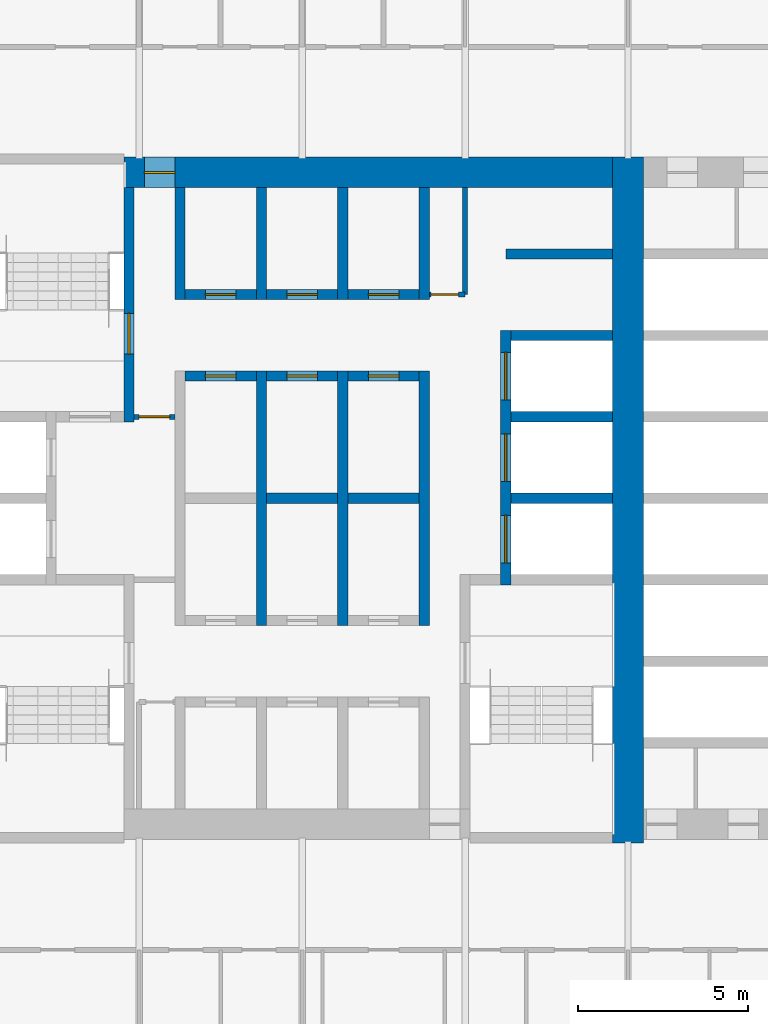
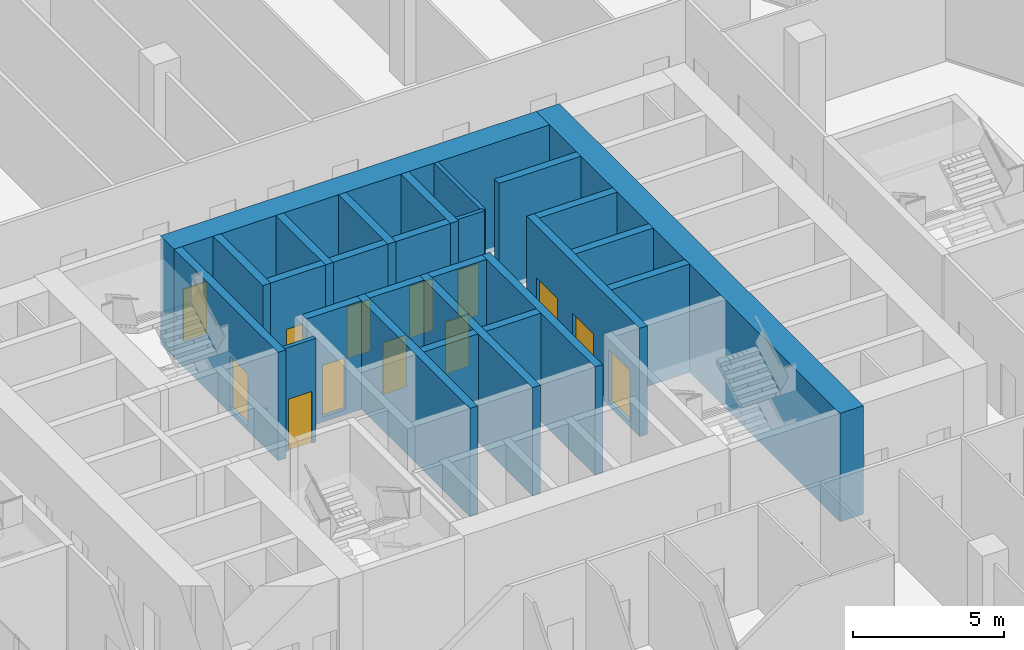
# One storey, part 18 of 27: 26 walls, 13 doors, 13 openings.
"""IFC4 building model written with IfcOpenShell, lengths in metres."""

from ifc_helpers import new_model, si_unit, direction, frame, frame_2d, origin, place, context, subcontext, project, spatial, rectangle, extrude, material, layer, layer_set, type_object, element, fill, save


model = new_model("IFC4")

# Units and contexts
model_context = context("Model", 3, precision=1e-05, world=origin(), true_north=direction((0.0, 1.0)))
body_context = subcontext(model_context, "Body", "Model", "MODEL_VIEW")
ifc_project = project(units=[si_unit("LENGTHUNIT", "METRE"), si_unit("AREAUNIT", "SQUARE_METRE"), si_unit("VOLUMEUNIT", "CUBIC_METRE"), si_unit("PLANEANGLEUNIT", "RADIAN"), si_unit("MASSUNIT", "GRAM", prefix="KILO")], contexts=[model_context])

# Site, building, storey
site_placement = place(None, origin())
site = spatial("IfcSite", under=ifc_project, at=site_placement, CompositionType="ELEMENT")
building_placement = place(site_placement, origin())
building = spatial("IfcBuilding", under=site, at=building_placement, Name="Kolab Exchange Tower", CompositionType="ELEMENT")
storey_placement = place(building_placement, frame((0.0, 0.0, 122.89990234375)))
storey = spatial("IfcBuildingStorey", under=building, at=storey_placement, Name="L24", CompositionType="ELEMENT", Elevation=122.89990234375)

# Wall, opening, door
ifc_material_1 = material(Name="Concrete C70/85", Category="concrete")
ifc_layer_1 = layer(ifc_material_1, 0.89990234375)
ifc_layer_set_1 = layer_set([ifc_layer_1], Name="Concrete C70/85")
wall_type_1 = type_object("IfcWallType", Name="CORE WALL 900 C70/85", PredefinedType="SHEAR", material=ifc_layer_set_1)
wall_1_placement = place(storey_placement, frame((-5.25, 9.60009765625, -0.199951171875), z_axis=(0.0, 0.0, 1.0), x_axis=(1.0, 0.0, 0.0)))
wall_1 = element("IfcWall", 1, at=wall_1_placement, inside=storey, type_object=wall_type_1, Name="wall/L24/core/052", PredefinedType="SHEAR", context=body_context, shape_type="SweptSolid", body=[
    extrude(rectangle(XDim=14.39990234375, YDim=0.89990234375, at=frame_2d((7.199951171875, 0.0))), origin(), (0.0, 0.0, 1.0), 4.400146484375),
])
opening_1_placement = place(wall_1_placement, frame((0.60009765625, 0.0, 0.199951171875)))
opening_1 = element("IfcOpeningElement", 2, at=opening_1_placement, cuts=wall_1, Name="Opening D6-248", PredefinedType="OPENING", context=body_context, shape_type="SweptSolid", body=[
    extrude(rectangle(XDim=0.89990234375, YDim=2.10009765625, at=frame_2d((0.449951171875, 1.050048828125))), frame((0.0, 0.4599609375, 0.0), z_axis=(0.0, -1.0, 0.0), x_axis=(1.0, 0.0, 0.0)), (0.0, 0.0, 1.0), 0.919921875),
])
ifc_material_2 = material(Name="Steel S235", Category="steel")
door_type_1 = type_object("IfcDoorType", Name="CORE DOOR 900 EI 120", OperationType="SINGLE_SWING_LEFT", PredefinedType="DOOR", material=ifc_material_2)
door_1_placement = place(opening_1_placement, frame((0.89990234375, 0.0, 0.0), z_axis=(0.0, 0.0, 1.0), x_axis=(-1.0, 0.0, 0.0)))
door_1 = element("IfcDoor", 3, at=door_1_placement, inside=storey, type_object=door_type_1, Name="Core lobby door", OperationType="SINGLE_SWING_RIGHT", OverallHeight=2.10009765625, OverallWidth=0.89990234375, PredefinedType="DOOR", context=body_context, shape_type="SweptSolid", body=[
    extrude(rectangle(XDim=0.89990234375, YDim=2.10009765625, at=frame_2d((0.449951171875, 1.050048828125))), frame((0.0, 0.02490234375, 0.0), z_axis=(0.0, -1.0, 0.0), x_axis=(1.0, 0.0, 0.0)), (0.0, 0.0, 1.0), 0.050048828125),
])
fill(opening_1, door_1)

# Walls
wall_2_placement = place(storey_placement, frame((9.60009765625, -10.14990234375, -0.199951171875), z_axis=(0.0, 0.0, 1.0), x_axis=(0.0, 1.0, 0.0)))
element("IfcWall", 4, at=wall_2_placement, inside=storey, type_object=wall_type_1, Name="wall/L24/core/080", PredefinedType="SHEAR", context=body_context, shape_type="SweptSolid", body=[
    extrude(rectangle(XDim=20.199951171875, YDim=0.89990234375, at=frame_2d((10.10009765625, 0.0))), origin(), (0.0, 0.0, 1.0), 4.400146484375),
])
ifc_material_3 = material(Name="Concrete C50/60", Category="concrete")
ifc_layer_2 = layer(ifc_material_3, 0.300048828125)
ifc_layer_set_2 = layer_set([ifc_layer_2], Name="Concrete C50/60")
wall_type_2 = type_object("IfcWallType", Name="LIFT SHAFT WALL 300 C50/60", PredefinedType="STANDARD", material=ifc_layer_set_2)
wall_3_placement = place(storey_placement, frame((-1.050048828125, 0.0, -0.199951171875), z_axis=(0.0, 0.0, 1.0), x_axis=(1.0, 0.0, 0.0)))
element("IfcWall", 5, at=wall_3_placement, inside=storey, type_object=wall_type_2, Name="wall/L24/core/027", PredefinedType="STANDARD", context=body_context, shape_type="SweptSolid", body=[
    extrude(rectangle(XDim=2.10009765625, YDim=0.300048828125, at=frame_2d((1.050048828125, 0.0))), origin(), (0.0, 0.0, 1.0), 4.400146484375),
])
wall_4_placement = place(storey_placement, frame((1.35009765625, 0.0, -0.199951171875), z_axis=(0.0, 0.0, 1.0), x_axis=(1.0, 0.0, 0.0)))
element("IfcWall", 6, at=wall_4_placement, inside=storey, type_object=wall_type_2, Name="wall/L24/core/028", PredefinedType="STANDARD", context=body_context, shape_type="SweptSolid", body=[
    extrude(rectangle(XDim=2.099853515625, YDim=0.300048828125, at=frame_2d((1.0498046875, 0.0))), origin(), (0.0, 0.0, 1.0), 4.400146484375),
])
for number, where, z_axis, x_axis, name in (
    (7, (6.14990234375, 0.0, -0.199951171875), (0.0, 0.0, 1.0), (1.0, 0.0, 0.0), "wall/L24/core/029"),
    (8, (6.14990234375, 2.39990234375, -0.199951171875), (0.0, 0.0, 1.0), (1.0, 0.0, 0.0), "wall/L24/core/035"),
):
    element("IfcWall", number, at=place(storey_placement, frame(where, z_axis=z_axis, x_axis=x_axis)), inside=storey, type_object=wall_type_2, Name=name, PredefinedType="STANDARD", context=body_context, shape_type="SweptSolid", body=[
        extrude(rectangle(XDim=3.0, YDim=0.300048828125, at=frame_2d((1.5, 0.0))), origin(), (0.0, 0.0, 1.0), 4.400146484375),
    ])

# Wall, opening, door
wall_5_placement = place(storey_placement, frame((-3.449951171875, 3.60009765625, -0.199951171875), z_axis=(0.0, 0.0, 1.0), x_axis=(1.0, 0.0, 0.0)))
wall_5 = element("IfcWall", 9, at=wall_5_placement, inside=storey, type_object=wall_type_2, Name="wall/L24/core/037", PredefinedType="STANDARD", context=body_context, shape_type="SweptSolid", body=[
    extrude(rectangle(XDim=2.099853515625, YDim=0.300048828125, at=frame_2d((1.0498046875, 0.0))), origin(), (0.0, 0.0, 1.0), 4.400146484375),
])
opening_2_placement = place(wall_5_placement, frame((0.60009765625, 0.0, 0.199951171875)))
opening_2 = element("IfcOpeningElement", 10, at=opening_2_placement, cuts=wall_5, Name="Opening D6-241", PredefinedType="OPENING", context=body_context, shape_type="SweptSolid", body=[
    extrude(rectangle(XDim=0.89990234375, YDim=2.10009765625, at=frame_2d((0.449951171875, 1.050048828125))), frame((0.0, 0.16015625, 0.0), z_axis=(0.0, -1.0, 0.0), x_axis=(1.0, 0.0, 0.0)), (0.0, 0.0, 1.0), 0.320068359375),
])
door_2_placement = place(opening_2_placement, frame((0.89990234375, 0.0, 0.0), z_axis=(0.0, 0.0, 1.0), x_axis=(-1.0, 0.0, 0.0)))
door_2 = element("IfcDoor", 11, at=door_2_placement, inside=storey, type_object=door_type_1, Name="Service room door", OperationType="SINGLE_SWING_LEFT", OverallHeight=2.10009765625, OverallWidth=0.89990234375, PredefinedType="DOOR", context=body_context, shape_type="SweptSolid", body=[
    extrude(rectangle(XDim=0.89990234375, YDim=2.10009765625, at=frame_2d((0.449951171875, 1.050048828125))), frame((0.0, 0.02490234375, 0.0), z_axis=(0.0, -1.0, 0.0), x_axis=(1.0, 0.0, 0.0)), (0.0, 0.0, 1.0), 0.050048828125),
])
fill(opening_2, door_2)

wall_6_placement = place(storey_placement, frame((-1.050048828125, 3.60009765625, -0.199951171875), z_axis=(0.0, 0.0, 1.0), x_axis=(1.0, 0.0, 0.0)))
wall_6 = element("IfcWall", 12, at=wall_6_placement, inside=storey, type_object=wall_type_2, Name="wall/L24/core/038", PredefinedType="STANDARD", context=body_context, shape_type="SweptSolid", body=[
    extrude(rectangle(XDim=2.10009765625, YDim=0.300048828125, at=frame_2d((1.050048828125, 0.0))), origin(), (0.0, 0.0, 1.0), 4.400146484375),
])
opening_3_placement = place(wall_6_placement, frame((0.60009765625, 0.0, 0.199951171875)))
opening_3 = element("IfcOpeningElement", 13, at=opening_3_placement, cuts=wall_6, Name="Opening D6-240", PredefinedType="OPENING", context=body_context, shape_type="SweptSolid", body=[
    extrude(rectangle(XDim=0.89990234375, YDim=2.10009765625, at=frame_2d((0.449951171875, 1.050048828125))), frame((0.0, 0.16015625, 0.0), z_axis=(0.0, -1.0, 0.0), x_axis=(1.0, 0.0, 0.0)), (0.0, 0.0, 1.0), 0.320068359375),
])
door_3_placement = place(opening_3_placement, frame((0.89990234375, 0.0, 0.0), z_axis=(0.0, 0.0, 1.0), x_axis=(-1.0, 0.0, 0.0)))
door_3 = element("IfcDoor", 14, at=door_3_placement, inside=storey, type_object=door_type_1, Name="Service room door", OperationType="SINGLE_SWING_LEFT", OverallHeight=2.10009765625, OverallWidth=0.89990234375, PredefinedType="DOOR", context=body_context, shape_type="SweptSolid", body=[
    extrude(rectangle(XDim=0.89990234375, YDim=2.10009765625, at=frame_2d((0.449951171875, 1.050048828125))), frame((0.0, 0.02490234375, 0.0), z_axis=(0.0, -1.0, 0.0), x_axis=(1.0, 0.0, 0.0)), (0.0, 0.0, 1.0), 0.050048828125),
])
fill(opening_3, door_3)

wall_7_placement = place(storey_placement, frame((1.35009765625, 3.60009765625, -0.199951171875), z_axis=(0.0, 0.0, 1.0), x_axis=(1.0, 0.0, 0.0)))
wall_7 = element("IfcWall", 15, at=wall_7_placement, inside=storey, type_object=wall_type_2, Name="wall/L24/core/039", PredefinedType="STANDARD", context=body_context, shape_type="SweptSolid", body=[
    extrude(rectangle(XDim=2.099853515625, YDim=0.300048828125, at=frame_2d((1.0498046875, 0.0))), origin(), (0.0, 0.0, 1.0), 4.400146484375),
])
opening_4_placement = place(wall_7_placement, frame((0.60009765625, 0.0, 0.199951171875)))
opening_4 = element("IfcOpeningElement", 16, at=opening_4_placement, cuts=wall_7, Name="Opening D6-239", PredefinedType="OPENING", context=body_context, shape_type="SweptSolid", body=[
    extrude(rectangle(XDim=0.89990234375, YDim=2.10009765625, at=frame_2d((0.449951171875, 1.050048828125))), frame((0.0, 0.16015625, 0.0), z_axis=(0.0, -1.0, 0.0), x_axis=(1.0, 0.0, 0.0)), (0.0, 0.0, 1.0), 0.320068359375),
])
door_4_placement = place(opening_4_placement, frame((0.89990234375, 0.0, 0.0), z_axis=(0.0, 0.0, 1.0), x_axis=(-1.0, 0.0, 0.0)))
door_4 = element("IfcDoor", 17, at=door_4_placement, inside=storey, type_object=door_type_1, Name="Service room door", OperationType="SINGLE_SWING_RIGHT", OverallHeight=2.10009765625, OverallWidth=0.89990234375, PredefinedType="DOOR", context=body_context, shape_type="SweptSolid", body=[
    extrude(rectangle(XDim=0.89990234375, YDim=2.10009765625, at=frame_2d((0.449951171875, 1.050048828125))), frame((0.0, 0.02490234375, 0.0), z_axis=(0.0, -1.0, 0.0), x_axis=(1.0, 0.0, 0.0)), (0.0, 0.0, 1.0), 0.050048828125),
])
fill(opening_4, door_4)

# Wall
wall_8_placement = place(storey_placement, frame((6.14990234375, 4.800048828125, -0.199951171875), z_axis=(0.0, 0.0, 1.0), x_axis=(1.0, 0.0, 0.0)))
element("IfcWall", 18, at=wall_8_placement, inside=storey, type_object=wall_type_2, Name="wall/L24/core/043", PredefinedType="STANDARD", context=body_context, shape_type="SweptSolid", body=[
    extrude(rectangle(XDim=3.0, YDim=0.300048828125, at=frame_2d((1.5, 0.0))), origin(), (0.0, 0.0, 1.0), 4.400146484375),
])

# Wall, opening, door
wall_9_placement = place(storey_placement, frame((-3.449951171875, 6.0, -0.199951171875), z_axis=(0.0, 0.0, 1.0), x_axis=(1.0, 0.0, 0.0)))
wall_9 = element("IfcWall", 19, at=wall_9_placement, inside=storey, type_object=wall_type_2, Name="wall/L24/core/045", PredefinedType="STANDARD", context=body_context, shape_type="SweptSolid", body=[
    extrude(rectangle(XDim=2.099853515625, YDim=0.300048828125, at=frame_2d((1.0498046875, 0.0))), origin(), (0.0, 0.0, 1.0), 4.400146484375),
])
opening_5_placement = place(wall_9_placement, frame((0.60009765625, 0.0, 0.199951171875)))
opening_5 = element("IfcOpeningElement", 20, at=opening_5_placement, cuts=wall_9, Name="Opening D6-238", PredefinedType="OPENING", context=body_context, shape_type="SweptSolid", body=[
    extrude(rectangle(XDim=0.89990234375, YDim=2.10009765625, at=frame_2d((0.449951171875, 1.050048828125))), frame((0.0, 0.16015625, 0.0), z_axis=(0.0, -1.0, 0.0), x_axis=(1.0, 0.0, 0.0)), (0.0, 0.0, 1.0), 0.320068359375),
])
door_5_placement = place(opening_5_placement, origin())
door_5 = element("IfcDoor", 21, at=door_5_placement, inside=storey, type_object=door_type_1, Name="Service room door", OperationType="SINGLE_SWING_LEFT", OverallHeight=2.10009765625, OverallWidth=0.89990234375, PredefinedType="DOOR", context=body_context, shape_type="SweptSolid", body=[
    extrude(rectangle(XDim=0.89990234375, YDim=2.10009765625, at=frame_2d((0.449951171875, 1.050048828125))), frame((0.0, 0.02490234375, 0.0), z_axis=(0.0, -1.0, 0.0), x_axis=(1.0, 0.0, 0.0)), (0.0, 0.0, 1.0), 0.050048828125),
])
fill(opening_5, door_5)

wall_10_placement = place(storey_placement, frame((-1.050048828125, 6.0, -0.199951171875), z_axis=(0.0, 0.0, 1.0), x_axis=(1.0, 0.0, 0.0)))
wall_10 = element("IfcWall", 22, at=wall_10_placement, inside=storey, type_object=wall_type_2, Name="wall/L24/core/046", PredefinedType="STANDARD", context=body_context, shape_type="SweptSolid", body=[
    extrude(rectangle(XDim=2.10009765625, YDim=0.300048828125, at=frame_2d((1.050048828125, 0.0))), origin(), (0.0, 0.0, 1.0), 4.400146484375),
])
opening_6_placement = place(wall_10_placement, frame((0.60009765625, 0.0, 0.199951171875)))
opening_6 = element("IfcOpeningElement", 23, at=opening_6_placement, cuts=wall_10, Name="Opening D6-237", PredefinedType="OPENING", context=body_context, shape_type="SweptSolid", body=[
    extrude(rectangle(XDim=0.89990234375, YDim=2.10009765625, at=frame_2d((0.449951171875, 1.050048828125))), frame((0.0, 0.16015625, 0.0), z_axis=(0.0, -1.0, 0.0), x_axis=(1.0, 0.0, 0.0)), (0.0, 0.0, 1.0), 0.320068359375),
])
door_6_placement = place(opening_6_placement, origin())
door_6 = element("IfcDoor", 24, at=door_6_placement, inside=storey, type_object=door_type_1, Name="Service room door", OperationType="SINGLE_SWING_RIGHT", OverallHeight=2.10009765625, OverallWidth=0.89990234375, PredefinedType="DOOR", context=body_context, shape_type="SweptSolid", body=[
    extrude(rectangle(XDim=0.89990234375, YDim=2.10009765625, at=frame_2d((0.449951171875, 1.050048828125))), frame((0.0, 0.02490234375, 0.0), z_axis=(0.0, -1.0, 0.0), x_axis=(1.0, 0.0, 0.0)), (0.0, 0.0, 1.0), 0.050048828125),
])
fill(opening_6, door_6)

wall_11_placement = place(storey_placement, frame((1.35009765625, 6.0, -0.199951171875), z_axis=(0.0, 0.0, 1.0), x_axis=(1.0, 0.0, 0.0)))
wall_11 = element("IfcWall", 25, at=wall_11_placement, inside=storey, type_object=wall_type_2, Name="wall/L24/core/047", PredefinedType="STANDARD", context=body_context, shape_type="SweptSolid", body=[
    extrude(rectangle(XDim=2.099853515625, YDim=0.300048828125, at=frame_2d((1.0498046875, 0.0))), origin(), (0.0, 0.0, 1.0), 4.400146484375),
])
opening_7_placement = place(wall_11_placement, frame((0.60009765625, 0.0, 0.199951171875)))
opening_7 = element("IfcOpeningElement", 26, at=opening_7_placement, cuts=wall_11, Name="Opening D6-236", PredefinedType="OPENING", context=body_context, shape_type="SweptSolid", body=[
    extrude(rectangle(XDim=0.89990234375, YDim=2.10009765625, at=frame_2d((0.449951171875, 1.050048828125))), frame((0.0, 0.16015625, 0.0), z_axis=(0.0, -1.0, 0.0), x_axis=(1.0, 0.0, 0.0)), (0.0, 0.0, 1.0), 0.320068359375),
])
door_7_placement = place(opening_7_placement, origin())
door_7 = element("IfcDoor", 27, at=door_7_placement, inside=storey, type_object=door_type_1, Name="Service room door", OperationType="SINGLE_SWING_RIGHT", OverallHeight=2.10009765625, OverallWidth=0.89990234375, PredefinedType="DOOR", context=body_context, shape_type="SweptSolid", body=[
    extrude(rectangle(XDim=0.89990234375, YDim=2.10009765625, at=frame_2d((0.449951171875, 1.050048828125))), frame((0.0, 0.02490234375, 0.0), z_axis=(0.0, -1.0, 0.0), x_axis=(1.0, 0.0, 0.0)), (0.0, 0.0, 1.0), 0.050048828125),
])
fill(opening_7, door_7)

# Walls
wall_12_placement = place(storey_placement, frame((6.0, 7.199951171875, -0.199951171875), z_axis=(0.0, 0.0, 1.0), x_axis=(1.0, 0.0, 0.0)))
element("IfcWall", 28, at=wall_12_placement, inside=storey, type_object=wall_type_2, Name="wall/L24/core/049", PredefinedType="STANDARD", context=body_context, shape_type="SweptSolid", body=[
    extrude(rectangle(XDim=3.14990234375, YDim=0.300048828125, at=frame_2d((1.574951171875, 0.0))), origin(), (0.0, 0.0, 1.0), 4.400146484375),
])
wall_13_placement = place(storey_placement, frame((-3.60009765625, 5.85009765625, -0.199951171875), z_axis=(0.0, 0.0, 1.0), x_axis=(0.0, 1.0, 0.0)))
element("IfcWall", 29, at=wall_13_placement, inside=storey, type_object=wall_type_2, Name="wall/L24/core/068", PredefinedType="STANDARD", context=body_context, shape_type="SweptSolid", body=[
    extrude(rectangle(XDim=3.2998046875, YDim=0.300048828125, at=frame_2d((1.64990234375, 0.0))), origin(), (0.0, 0.0, 1.0), 4.400146484375),
])
wall_14_placement = place(storey_placement, frame((-1.199951171875, -3.75, -0.199951171875), z_axis=(0.0, 0.0, 1.0), x_axis=(0.0, 1.0, 0.0)))
element("IfcWall", 30, at=wall_14_placement, inside=storey, type_object=wall_type_2, Name="wall/L24/core/070", PredefinedType="STANDARD", context=body_context, shape_type="SweptSolid", body=[
    extrude(rectangle(XDim=7.5, YDim=0.300048828125, at=frame_2d((3.75, 0.0))), origin(), (0.0, 0.0, 1.0), 4.400146484375),
])
wall_15_placement = place(storey_placement, frame((-1.199951171875, 5.85009765625, -0.199951171875), z_axis=(0.0, 0.0, 1.0), x_axis=(0.0, 1.0, 0.0)))
element("IfcWall", 31, at=wall_15_placement, inside=storey, type_object=wall_type_2, Name="wall/L24/core/071", PredefinedType="STANDARD", context=body_context, shape_type="SweptSolid", body=[
    extrude(rectangle(XDim=3.2998046875, YDim=0.300048828125, at=frame_2d((1.64990234375, 0.0))), origin(), (0.0, 0.0, 1.0), 4.400146484375),
])
wall_16_placement = place(storey_placement, frame((1.199951171875, -3.75, -0.199951171875), z_axis=(0.0, 0.0, 1.0), x_axis=(0.0, 1.0, 0.0)))
element("IfcWall", 32, at=wall_16_placement, inside=storey, type_object=wall_type_2, Name="wall/L24/core/073", PredefinedType="STANDARD", context=body_context, shape_type="SweptSolid", body=[
    extrude(rectangle(XDim=7.5, YDim=0.300048828125, at=frame_2d((3.75, 0.0))), origin(), (0.0, 0.0, 1.0), 4.400146484375),
])
wall_17_placement = place(storey_placement, frame((1.199951171875, 5.85009765625, -0.199951171875), z_axis=(0.0, 0.0, 1.0), x_axis=(0.0, 1.0, 0.0)))
element("IfcWall", 33, at=wall_17_placement, inside=storey, type_object=wall_type_2, Name="wall/L24/core/074", PredefinedType="STANDARD", context=body_context, shape_type="SweptSolid", body=[
    extrude(rectangle(XDim=3.2998046875, YDim=0.300048828125, at=frame_2d((1.64990234375, 0.0))), origin(), (0.0, 0.0, 1.0), 4.400146484375),
])
wall_18_placement = place(storey_placement, frame((3.60009765625, -3.75, -0.199951171875), z_axis=(0.0, 0.0, 1.0), x_axis=(0.0, 1.0, 0.0)))
element("IfcWall", 34, at=wall_18_placement, inside=storey, type_object=wall_type_2, Name="wall/L24/core/076", PredefinedType="STANDARD", context=body_context, shape_type="SweptSolid", body=[
    extrude(rectangle(XDim=7.5, YDim=0.300048828125, at=frame_2d((3.75, 0.0))), origin(), (0.0, 0.0, 1.0), 4.400146484375),
])
wall_19_placement = place(storey_placement, frame((3.60009765625, 5.85009765625, -0.199951171875), z_axis=(0.0, 0.0, 1.0), x_axis=(0.0, 1.0, 0.0)))
element("IfcWall", 35, at=wall_19_placement, inside=storey, type_object=wall_type_2, Name="wall/L24/core/077", PredefinedType="STANDARD", context=body_context, shape_type="SweptSolid", body=[
    extrude(rectangle(XDim=3.2998046875, YDim=0.300048828125, at=frame_2d((1.64990234375, 0.0))), origin(), (0.0, 0.0, 1.0), 4.400146484375),
])

# Wall, openings, doors
wall_20_placement = place(storey_placement, frame((6.0, -2.550048828125, -0.199951171875), z_axis=(0.0, 0.0, 1.0), x_axis=(0.0, 1.0, 0.0)))
wall_20 = element("IfcWall", 36, at=wall_20_placement, inside=storey, type_object=wall_type_2, Name="wall/L24/core/079", PredefinedType="STANDARD", context=body_context, shape_type="SweptSolid", body=[
    extrude(rectangle(XDim=7.5, YDim=0.300048828125, at=frame_2d((3.75, 0.0))), origin(), (0.0, 0.0, 1.0), 4.400146484375),
])
opening_8_placement = place(wall_20_placement, frame((0.64990234375, 0.0, 0.199951171875)))
opening_8 = element("IfcOpeningElement", 37, at=opening_8_placement, cuts=wall_20, Name="Opening LD3-028", PredefinedType="OPENING", context=body_context, shape_type="SweptSolid", body=[
    extrude(rectangle(XDim=1.39990234375, YDim=2.10009765625, at=frame_2d((0.699951171875, 1.050048828125))), frame((0.0, 0.16015625, 0.0), z_axis=(0.0, -1.0, 0.0), x_axis=(1.0, 0.0, 0.0)), (0.0, 0.0, 1.0), 0.320068359375),
])
opening_9_placement = place(wall_20_placement, frame((3.050048828125, 0.0, 0.199951171875)))
opening_9 = element("IfcOpeningElement", 38, at=opening_9_placement, cuts=wall_20, Name="Opening LD3-029", PredefinedType="OPENING", context=body_context, shape_type="SweptSolid", body=[
    extrude(rectangle(XDim=1.39990234375, YDim=2.10009765625, at=frame_2d((0.699951171875, 1.050048828125))), frame((0.0, 0.16015625, 0.0), z_axis=(0.0, -1.0, 0.0), x_axis=(1.0, 0.0, 0.0)), (0.0, 0.0, 1.0), 0.320068359375),
])
opening_10_placement = place(wall_20_placement, frame((5.449951171875, 0.0, 0.199951171875)))
opening_10 = element("IfcOpeningElement", 39, at=opening_10_placement, cuts=wall_20, Name="Opening LD3-030", PredefinedType="OPENING", context=body_context, shape_type="SweptSolid", body=[
    extrude(rectangle(XDim=1.39990234375, YDim=2.10009765625, at=frame_2d((0.699951171875, 1.050048828125))), frame((0.0, 0.16015625, 0.0), z_axis=(0.0, -1.0, 0.0), x_axis=(1.0, 0.0, 0.0)), (0.0, 0.0, 1.0), 0.320068359375),
])
ifc_material_4 = material(Name="Stainless steel 316", Category="steel")
door_type_2 = type_object("IfcDoorType", Name="LANDING DOOR 1400 SERVICE", OperationType="DOUBLE_DOOR_SLIDING", PredefinedType="DOOR", material=ifc_material_4)
door_8_placement = place(opening_8_placement, origin())
door_8 = element("IfcDoor", 40, at=door_8_placement, inside=storey, type_object=door_type_2, Name="Landing door SV1", OperationType="DOUBLE_DOOR_SLIDING", OverallHeight=2.10009765625, OverallWidth=1.39990234375, PredefinedType="DOOR", context=body_context, shape_type="SweptSolid", body=[
    extrude(rectangle(XDim=1.39990234375, YDim=2.10009765625, at=frame_2d((0.699951171875, 1.050048828125))), frame((0.0, 0.02490234375, 0.0), z_axis=(0.0, -1.0, 0.0), x_axis=(1.0, 0.0, 0.0)), (0.0, 0.0, 1.0), 0.050048828125),
])
fill(opening_8, door_8)
door_9_placement = place(opening_9_placement, origin())
door_9 = element("IfcDoor", 41, at=door_9_placement, inside=storey, type_object=door_type_2, Name="Landing door SV2", OperationType="DOUBLE_DOOR_SLIDING", OverallHeight=2.10009765625, OverallWidth=1.39990234375, PredefinedType="DOOR", context=body_context, shape_type="SweptSolid", body=[
    extrude(rectangle(XDim=1.39990234375, YDim=2.10009765625, at=frame_2d((0.699951171875, 1.050048828125))), frame((0.0, 0.02490234375, 0.0), z_axis=(0.0, -1.0, 0.0), x_axis=(1.0, 0.0, 0.0)), (0.0, 0.0, 1.0), 0.050048828125),
])
fill(opening_9, door_9)
door_10_placement = place(opening_10_placement, origin())
door_10 = element("IfcDoor", 42, at=door_10_placement, inside=storey, type_object=door_type_2, Name="Landing door SV3", OperationType="DOUBLE_DOOR_SLIDING", OverallHeight=2.10009765625, OverallWidth=1.39990234375, PredefinedType="DOOR", context=body_context, shape_type="SweptSolid", body=[
    extrude(rectangle(XDim=1.39990234375, YDim=2.10009765625, at=frame_2d((0.699951171875, 1.050048828125))), frame((0.0, 0.02490234375, 0.0), z_axis=(0.0, -1.0, 0.0), x_axis=(1.0, 0.0, 0.0)), (0.0, 0.0, 1.0), 0.050048828125),
])
fill(opening_10, door_10)

# Wall
ifc_material_5 = material(Name="Gypsum board", Category="gypsum")
ifc_layer_3 = layer(ifc_material_5, 0.14990234375)
ifc_layer_set_3 = layer_set([ifc_layer_3], Name="Gypsum board")
wall_type_3 = type_object("IfcWallType", Name="PARTITION 150 FIRE-RATED", PredefinedType="PARTITIONING", material=ifc_layer_set_3)
wall_21_placement = place(storey_placement, frame((4.800048828125, 6.0, 0.0), z_axis=(0.0, 0.0, 1.0), x_axis=(0.0, 1.0, 0.0)))
element("IfcWall", 43, at=wall_21_placement, inside=storey, type_object=wall_type_3, Name="Partition 015", PredefinedType="PARTITIONING", context=body_context, shape_type="SweptSolid", body=[
    extrude(rectangle(XDim=3.14990234375, YDim=0.14990234375, at=frame_2d((1.574951171875, 0.0))), origin(), (0.0, 0.0, 1.0), 4.2001953125),
])

# Wall, opening, door
wall_22_placement = place(storey_placement, frame((3.75, 6.0, 0.0), z_axis=(0.0, 0.0, 1.0), x_axis=(1.0, 0.0, 0.0)))
wall_22 = element("IfcWall", 44, at=wall_22_placement, inside=storey, type_object=wall_type_3, Name="Partition 048", PredefinedType="PARTITIONING", context=body_context, shape_type="SweptSolid", body=[
    extrude(rectangle(XDim=1.050048828125, YDim=0.14990234375, at=frame_2d((0.52490234375, 0.0))), origin(), (0.0, 0.0, 1.0), 4.2001953125),
])
opening_11_placement = place(wall_22_placement, frame((0.050048828125, 0.0, 0.0)))
opening_11 = element("IfcOpeningElement", 45, at=opening_11_placement, cuts=wall_22, Name="Opening D7-024", PredefinedType="OPENING", context=body_context, shape_type="SweptSolid", body=[
    extrude(rectangle(XDim=0.800048828125, YDim=2.10009765625, at=frame_2d((0.39990234375, 1.050048828125))), frame((0.0, 0.0849609375, 0.0), z_axis=(0.0, -1.0, 0.0), x_axis=(1.0, 0.0, 0.0)), (0.0, 0.0, 1.0), 0.169921875),
])
door_type_3 = type_object("IfcDoorType", Name="FLUSH DOOR 800 FD60", OperationType="SINGLE_SWING_LEFT", PredefinedType="DOOR", material=ifc_material_2)
door_11_placement = place(opening_11_placement, origin())
door_11 = element("IfcDoor", 46, at=door_11_placement, inside=storey, type_object=door_type_3, Name="Door L24-043", OperationType="SINGLE_SWING_RIGHT", OverallHeight=2.10009765625, OverallWidth=0.800048828125, PredefinedType="DOOR", context=body_context, shape_type="SweptSolid", body=[
    extrude(rectangle(XDim=0.800048828125, YDim=2.10009765625, at=frame_2d((0.39990234375, 1.050048828125))), frame((0.0, 0.02490234375, 0.0), z_axis=(0.0, -1.0, 0.0), x_axis=(1.0, 0.0, 0.0)), (0.0, 0.0, 1.0), 0.050048828125),
])
fill(opening_11, door_11)

wall_23_placement = place(storey_placement, frame((-4.949951171875, 2.39990234375, 0.0), z_axis=(0.0, 0.0, 1.0), x_axis=(1.0, 0.0, 0.0)))
wall_23 = element("IfcWall", 47, at=wall_23_placement, inside=storey, type_object=wall_type_3, Name="Fire partition", PredefinedType="PARTITIONING", context=body_context, shape_type="SweptSolid", body=[
    extrude(rectangle(XDim=1.199951171875, YDim=0.14990234375, at=frame_2d((0.60009765625, 0.0))), origin(), (0.0, 0.0, 1.0), 4.2001953125),
])
opening_12_placement = place(wall_23_placement, frame((0.14990234375, 0.0, 0.0)))
opening_12 = element("IfcOpeningElement", 48, at=opening_12_placement, cuts=wall_23, Name="Opening D6-250", PredefinedType="OPENING", context=body_context, shape_type="SweptSolid", body=[
    extrude(rectangle(XDim=0.89990234375, YDim=2.10009765625, at=frame_2d((0.449951171875, 1.050048828125))), frame((0.0, 0.0849609375, 0.0), z_axis=(0.0, -1.0, 0.0), x_axis=(1.0, 0.0, 0.0)), (0.0, 0.0, 1.0), 0.169921875),
])
door_12_placement = place(opening_12_placement, frame((0.89990234375, 0.0, 0.0), z_axis=(0.0, 0.0, 1.0), x_axis=(-1.0, 0.0, 0.0)))
door_12 = element("IfcDoor", 49, at=door_12_placement, inside=storey, type_object=door_type_1, Name="Firefighting lobby door", OperationType="SINGLE_SWING_RIGHT", OverallHeight=2.10009765625, OverallWidth=0.89990234375, PredefinedType="DOOR", context=body_context, shape_type="SweptSolid", body=[
    extrude(rectangle(XDim=0.89990234375, YDim=2.10009765625, at=frame_2d((0.449951171875, 1.050048828125))), frame((0.0, 0.02490234375, 0.0), z_axis=(0.0, -1.0, 0.0), x_axis=(1.0, 0.0, 0.0)), (0.0, 0.0, 1.0), 0.050048828125),
])
fill(opening_12, door_12)

ifc_layer_4 = layer(ifc_material_3, 0.300048828125)
ifc_layer_set_4 = layer_set([ifc_layer_4], Name="Concrete C50/60")
wall_type_4 = type_object("IfcWallType", Name="STAIR ENCLOSURE WALL 300 C50/60", PredefinedType="STANDARD", material=ifc_layer_set_4)
wall_24_placement = place(storey_placement, frame((-5.10009765625, 2.25, -0.199951171875), z_axis=(0.0, 0.0, 1.0), x_axis=(0.0, 1.0, 0.0)))
wall_24 = element("IfcWall", 50, at=wall_24_placement, inside=storey, type_object=wall_type_4, Name="wall/L24/core/065", PredefinedType="STANDARD", context=body_context, shape_type="SweptSolid", body=[
    extrude(rectangle(XDim=6.89990234375, YDim=0.300048828125, at=frame_2d((3.449951171875, 0.0))), origin(), (0.0, 0.0, 1.0), 4.400146484375),
])
opening_13_placement = place(wall_24_placement, frame((2.0, 0.0, 0.199951171875)))
opening_13 = element("IfcOpeningElement", 51, at=opening_13_placement, cuts=wall_24, Name="Opening D4-050", PredefinedType="OPENING", context=body_context, shape_type="SweptSolid", body=[
    extrude(rectangle(XDim=1.199951171875, YDim=2.10009765625, at=frame_2d((0.60009765625, 1.050048828125))), frame((0.0, 0.16015625, 0.0), z_axis=(0.0, -1.0, 0.0), x_axis=(1.0, 0.0, 0.0)), (0.0, 0.0, 1.0), 0.320068359375),
])
door_type_4 = type_object("IfcDoorType", Name="STAIR DOOR 1200 EI 120", OperationType="SINGLE_SWING_LEFT", PredefinedType="DOOR", material=ifc_material_2)
door_13_placement = place(opening_13_placement, origin())
door_13 = element("IfcDoor", 52, at=door_13_placement, inside=storey, type_object=door_type_4, Name="Stair 1 door", OperationType="SINGLE_SWING_LEFT", OverallHeight=2.10009765625, OverallWidth=1.199951171875, PredefinedType="DOOR", context=body_context, shape_type="SweptSolid", body=[
    extrude(rectangle(XDim=1.199951171875, YDim=2.10009765625, at=frame_2d((0.60009765625, 1.050048828125))), frame((0.0, 0.02490234375, 0.0), z_axis=(0.0, -1.0, 0.0), x_axis=(1.0, 0.0, 0.0)), (0.0, 0.0, 1.0), 0.050048828125),
])
fill(opening_13, door_13)

save(model, "model.ifc")
